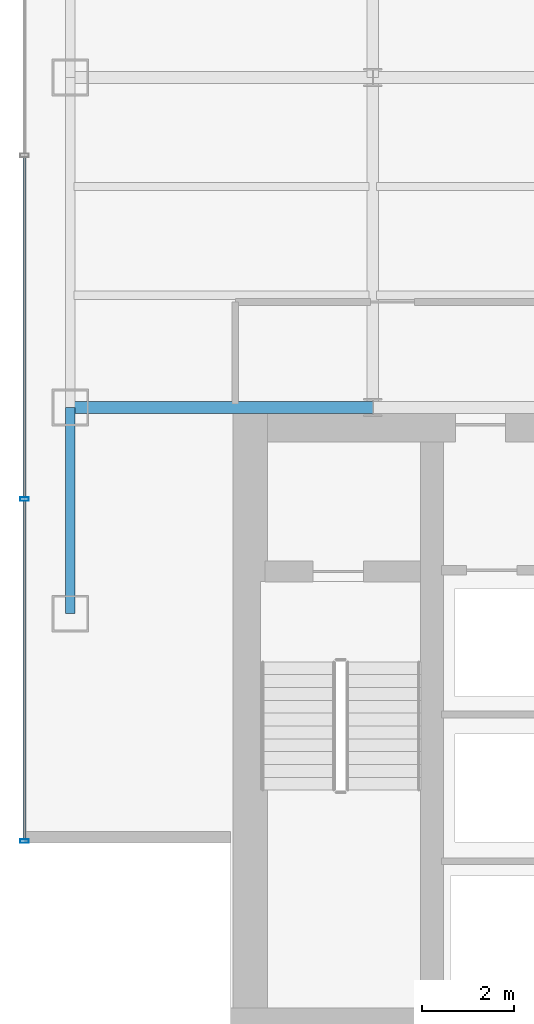
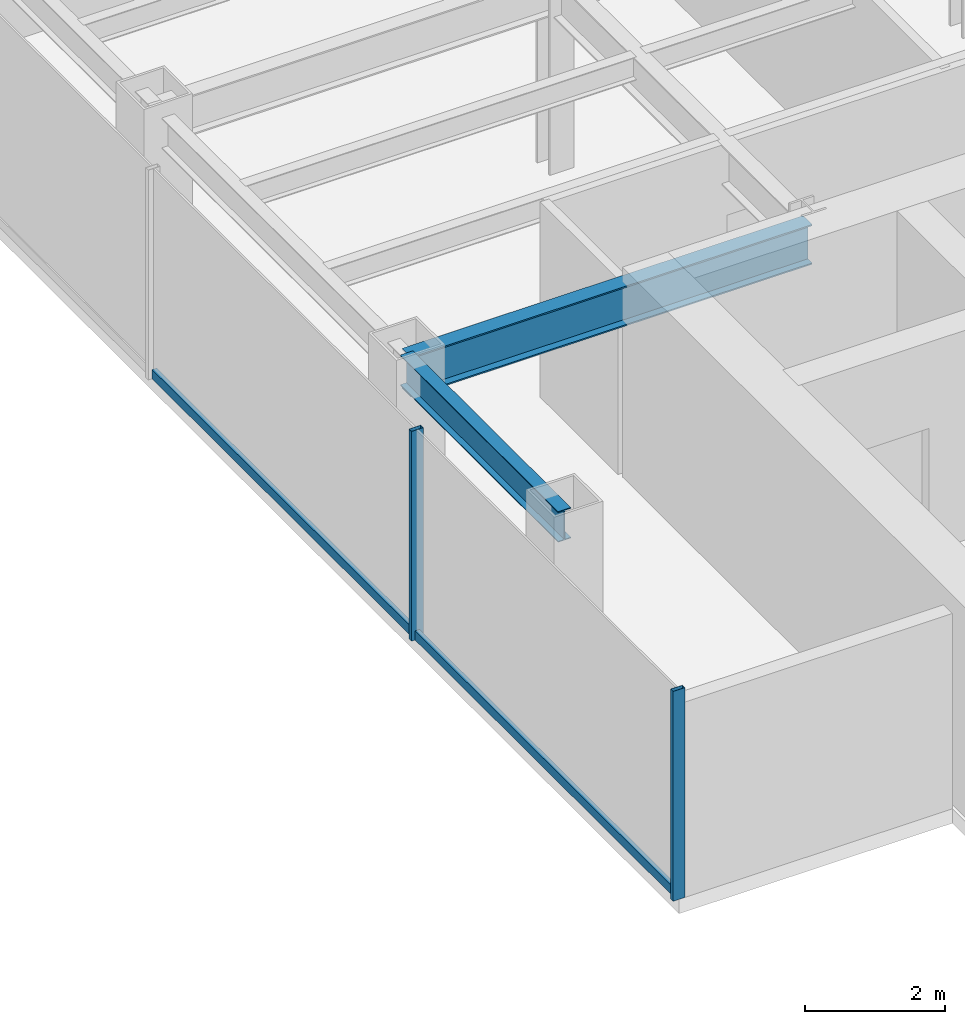
# One storey, part 2 of 26: 4 members, 2 beams, 1 element without a shape of its own.
"""IFC4 building model written with IfcOpenShell, lengths in metres."""

from ifc_helpers import new_model, si_unit, derived_unit, direction, frame, origin, origin_2d, place, context, subcontext, project, spatial, hollow_rectangle, i_section, extrude, source, transform, mapped, material, material_profile, profile_set, type_object, element, aggregate, save


model = new_model("IFC4")

# Units and contexts
model_context = context("Model", 3, precision=1e-05, world=origin(), true_north=direction((0.0, 1.0)))
body_context = subcontext(model_context, "Body", "Model", "MODEL_VIEW")
ifc_project = project(units=[si_unit("LENGTHUNIT", "METRE"), si_unit("AREAUNIT", "SQUARE_METRE"), si_unit("VOLUMEUNIT", "CUBIC_METRE"), si_unit("PLANEANGLEUNIT", "RADIAN"), si_unit("MASSUNIT", "GRAM", prefix="KILO"), derived_unit("THERMALTRANSMITTANCEUNIT", [(si_unit("POWERUNIT", "WATT"), 1), (si_unit("LENGTHUNIT", "METRE"), -2), (si_unit("THERMODYNAMICTEMPERATUREUNIT", "KELVIN"), -1)])], contexts=[model_context])

# Site, building, storey
site_placement = place(None, origin())
site = spatial("IfcSite", under=ifc_project, at=site_placement, CompositionType="ELEMENT")
building_placement = place(site_placement, origin())
building = spatial("IfcBuilding", under=site, at=building_placement, Name="Skarnbrae Concourse Arena and Tower", CompositionType="ELEMENT")
storey_placement = place(building_placement, frame((0.0, 0.0, 110.550048828125)))
storey = spatial("IfcBuildingStorey", under=building, at=storey_placement, Name="L27", CompositionType="ELEMENT", Elevation=110.550048828125)

# Beams
ifc_material_1 = material(Name="Steel CSA G40.21 350W", Category="steel")
ifc_material_profile_1 = material_profile(ifc_material_1, i_section(OverallWidth=0.256103515625, OverallDepth=0.693115234375, WebThickness=0.014404296875, FlangeThickness=0.023681640625, at=origin_2d()), Name="W690X170")
ifc_profile_set_1 = profile_set([ifc_material_profile_1], Name="Steel CSA G40.21 350W")
beam_type_1 = type_object("IfcBeamType", Name="BM-GIRD-W690X170", PredefinedType="BEAM", material=ifc_profile_set_1)
shared_shape_1 = source(origin(), body_context, "Body", "SweptSolid", [
    extrude(i_section(OverallWidth=0.256103515625, OverallDepth=0.693115234375, WebThickness=0.014404296875, FlangeThickness=0.023681640625, at=origin_2d()), origin(), (0.0, 0.0, 1.0), 6.60009765625),
])
beam_1_placement = place(storey_placement, frame((1.0, 14.0, 3.053466796875), z_axis=(1.0, 0.0, 0.0), x_axis=(0.0, 1.0, 0.0)))
element("IfcBeam", 1, at=beam_1_placement, inside=storey, type_object=beam_type_1, Name="L27 Primary E-W girder Y14.0-1", PredefinedType="BEAM", context=body_context, shape_type="MappedRepresentation", body=[
    mapped(shared_shape_1, transform((0.0, 0.0, 0.0))),
])
ifc_material_profile_2 = material_profile(ifc_material_1, i_section(OverallWidth=0.208984375, OverallDepth=0.532958984375, WebThickness=0.01025390625, FlangeThickness=0.015625, at=origin_2d()), Name="W530X92")
ifc_profile_set_2 = profile_set([ifc_material_profile_2], Name="Steel CSA G40.21 350W")
beam_type_2 = type_object("IfcBeamType", Name="BM-SPAN-W530X92", PredefinedType="SPANDREL", material=ifc_profile_set_2)
shared_shape_2 = source(origin(), body_context, "Body", "SweptSolid", [
    extrude(i_section(OverallWidth=0.208984375, OverallDepth=0.532958984375, WebThickness=0.01025390625, FlangeThickness=0.015625, at=origin_2d()), origin(), (0.0, 0.0, 1.0), 4.5),
])
beam_2_placement = place(storey_placement, frame((1.0, 9.5, 3.133544921875), z_axis=(0.0, 1.0, 0.0), x_axis=(-1.0, 0.0, 0.0)))
element("IfcBeam", 2, at=beam_2_placement, inside=storey, type_object=beam_type_2, Name="L27 Perimeter spandrel X1.0-1", PredefinedType="SPANDREL", context=body_context, shape_type="MappedRepresentation", body=[
    mapped(shared_shape_2, transform((0.0, 0.0, 0.0))),
])

# Curtain wall, members
ifc_material_2 = material(Name="Bronze anodised aluminium 6063-T6", Category="aluminium")
curtain_wall_type = type_object("IfcCurtainWallType", Name="CW-SYS-04-MIDZONE", PredefinedType="USERDEFINED", material=ifc_material_2)
curtain_wall_placement = place(storey_placement, origin())
curtain_wall = element("IfcCurtainWall", 3, at=curtain_wall_placement, inside=storey, type_object=curtain_wall_type, Name="L27 Unitised curtain wall CW-L27-E19", ObjectType="UNITISED CURTAIN WALL", PredefinedType="USERDEFINED")
ifc_material_profile_3 = material_profile(ifc_material_2, hollow_rectangle(XDim=0.074951171875, YDim=0.159912109375, WallThickness=0.00439453125, at=origin_2d()), Name="ALU-TRAN-75X160")
ifc_profile_set_3 = profile_set([ifc_material_profile_3], Name="Bronze anodised aluminium 6063-T6")
member_type_1 = type_object("IfcMemberType", Name="CWT-CW-04", PredefinedType="USERDEFINED", material=ifc_profile_set_3)
shared_shape_3 = source(origin(), body_context, "Body", "SweptSolid", [
    extrude(hollow_rectangle(XDim=0.074951171875, YDim=0.159912109375, WallThickness=0.00439453125, at=origin_2d()), origin(), (0.0, 0.0, 1.0), 7.387451171875),
])
member_1_placement = place(storey_placement, frame((0.0, 11.96240234375, 0.079833984375), z_axis=(0.0, -1.0, 0.0), x_axis=(1.0, 0.0, 0.0)))
member_1 = element("IfcMember", 4, at=member_1_placement, type_object=member_type_1, Name="CW-L27-E19 Transom 4", ObjectType="TRANSOM", PredefinedType="USERDEFINED", context=body_context, shape_type="MappedRepresentation", body=[
    mapped(shared_shape_3, transform((0.0, 0.0, 0.0))),
])
shared_shape_4 = source(origin(), body_context, "Body", "SweptSolid", [
    extrude(hollow_rectangle(XDim=0.074951171875, YDim=0.159912109375, WallThickness=0.00439453125, at=origin_2d()), origin(), (0.0, 0.0, 1.0), 7.4248046875),
])
member_2_placement = place(storey_placement, frame((0.0, 19.46240234375, 0.079833984375), z_axis=(0.0, -1.0, 0.0), x_axis=(1.0, 0.0, 0.0)))
member_2 = element("IfcMember", 5, at=member_2_placement, type_object=member_type_1, Name="CW-L27-E19 Transom 3", ObjectType="TRANSOM", PredefinedType="USERDEFINED", context=body_context, shape_type="MappedRepresentation", body=[
    mapped(shared_shape_4, transform((0.0, 0.0, 0.0))),
])
ifc_material_profile_4 = material_profile(ifc_material_2, hollow_rectangle(XDim=0.074951171875, YDim=0.195068359375, WallThickness=0.00439453125, at=origin_2d()), Name="ALU-MULL-75X195")
ifc_profile_set_4 = profile_set([ifc_material_profile_4], Name="Bronze anodised aluminium 6063-T6")
member_type_2 = type_object("IfcMemberType", Name="CWM-CW-04", PredefinedType="MULLION", material=ifc_profile_set_4)
shared_shape_5 = source(origin(), body_context, "Body", "SweptSolid", [
    extrude(hollow_rectangle(XDim=0.074951171875, YDim=0.195068359375, WallThickness=0.00439453125, at=origin_2d()), origin(), (0.0, 0.0, 1.0), 3.64990234375),
])
member_3_placement = place(storey_placement, frame((0.0, 12.0, 0.0), z_axis=(0.0, 0.0, 1.0), x_axis=(0.0, -1.0, 0.0)))
member_3 = element("IfcMember", 6, at=member_3_placement, type_object=member_type_2, Name="CW-L27-E19 Mullion 4", PredefinedType="MULLION", context=body_context, shape_type="MappedRepresentation", body=[
    mapped(shared_shape_5, transform((0.0, 0.0, 0.0))),
])
member_4_placement = place(storey_placement, frame((0.0, 4.53759765625, 0.0), z_axis=(0.0, 0.0, 1.0), x_axis=(0.0, -1.0, 0.0)))
member_4 = element("IfcMember", 7, at=member_4_placement, type_object=member_type_2, Name="CW-L27-E19 Mullion 5", PredefinedType="MULLION", context=body_context, shape_type="MappedRepresentation", body=[
    mapped(shared_shape_5, transform((0.0, 0.0, 0.0))),
])
aggregate(curtain_wall, [member_3, member_4, member_2, member_1])

save(model, "model.ifc")
